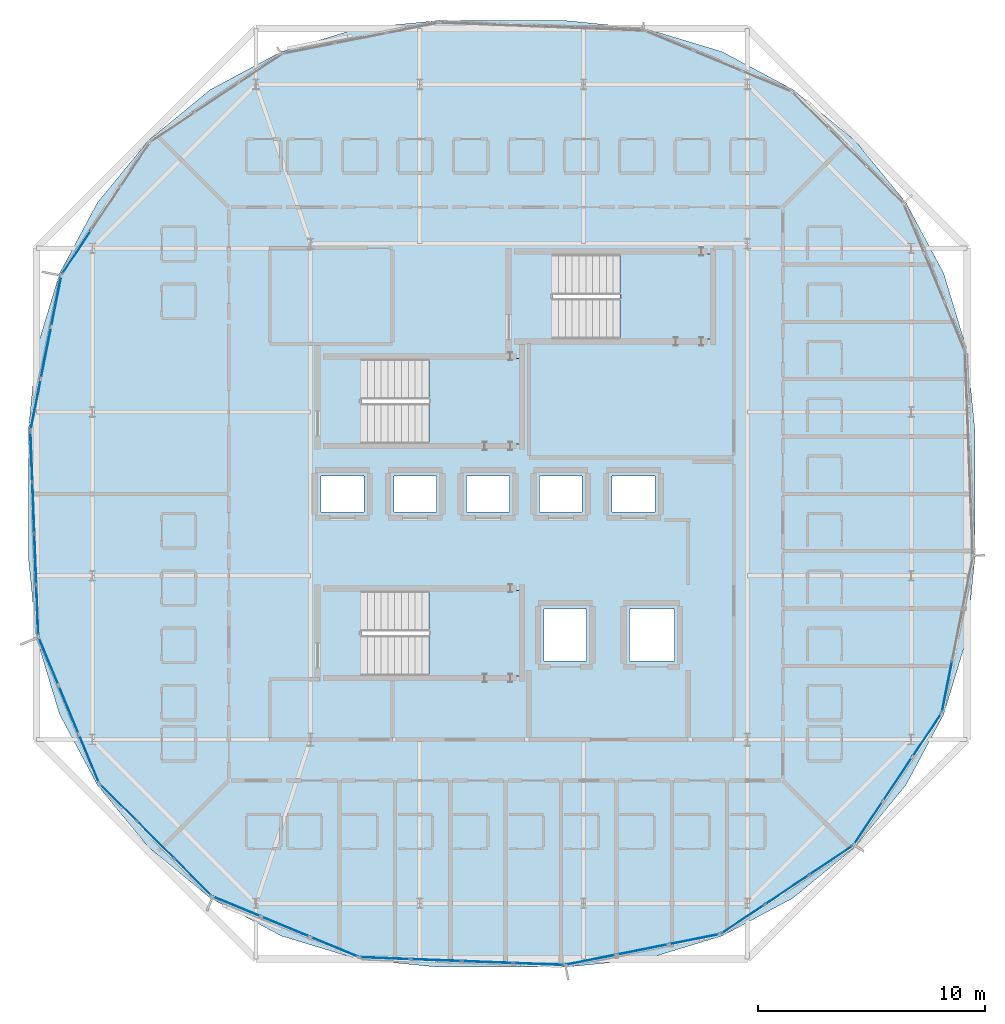
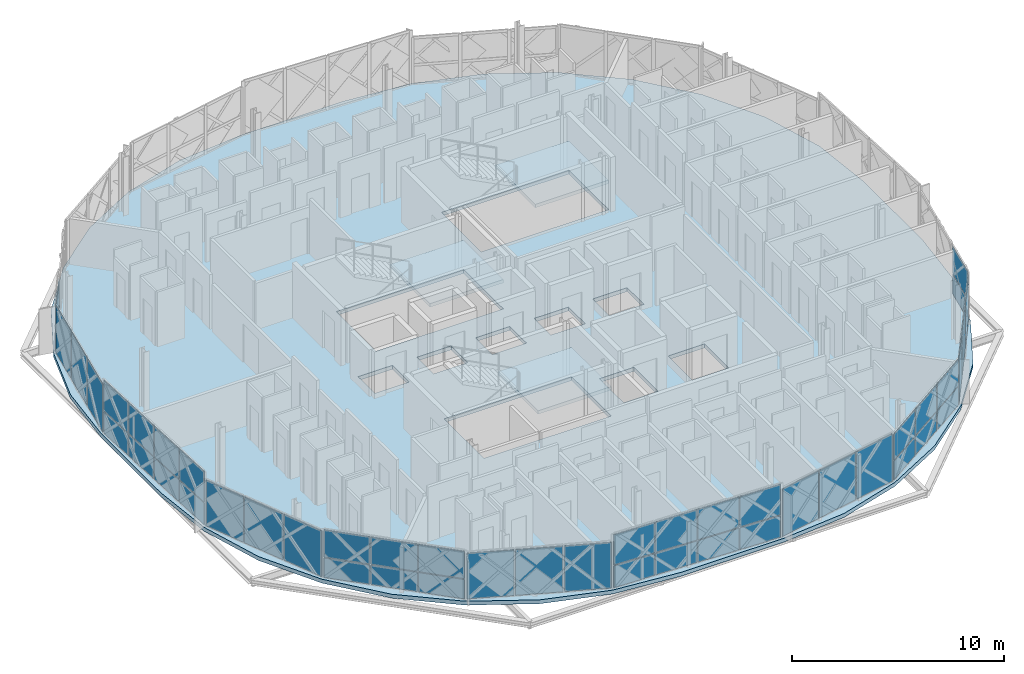
# One storey, part 11 of 24: 47 plates, 4 slabs, 14 elements without a shape of their own.
"""IFC4 building model written with IfcOpenShell, lengths in metres."""

from ifc_helpers import new_model, si_unit, direction, frame, origin, origin_2d, place, context, subcontext, project, spatial, polyline, rectangle, outline, extrude, material, layer, layer_set, type_object, element, aggregate, save


model = new_model("IFC4")

# Units and contexts
model_context = context("Model", 3, precision=1e-05, world=origin(), true_north=direction((0.0, 1.0)))
body_context = subcontext(model_context, "Body", "Model", "MODEL_VIEW")
ifc_project = project(units=[si_unit("LENGTHUNIT", "METRE"), si_unit("AREAUNIT", "SQUARE_METRE"), si_unit("VOLUMEUNIT", "CUBIC_METRE"), si_unit("PLANEANGLEUNIT", "RADIAN"), si_unit("MASSUNIT", "GRAM", prefix="KILO")], contexts=[model_context])

# Site, building, storey
site_placement = place(None, origin())
site = spatial("IfcSite", under=ifc_project, at=site_placement, CompositionType="ELEMENT")
building_placement = place(site_placement, origin())
building = spatial("IfcBuilding", under=site, at=building_placement, Name="Zevrakil Square Congress Hotel", CompositionType="ELEMENT")
storey_placement = place(building_placement, frame((0.0, 0.0, 31.699951171875)))
storey = spatial("IfcBuildingStorey", under=building, at=storey_placement, Name="L09", CompositionType="ELEMENT", Elevation=31.699951171875)

# Curtain wall, plate
ifc_material_1 = material(Name="Aluminium Anodised Bronze", Category="aluminium")
ifc_layer_1 = layer(ifc_material_1, 0.179931640625)
ifc_layer_set_1 = layer_set([ifc_layer_1], Name="Aluminium Anodised Bronze")
curtain_wall_type_1 = type_object("IfcCurtainWallType", Name="CW-L09-720", PredefinedType="USERDEFINED", material=ifc_layer_set_1)
curtain_wall_1_placement = place(storey_placement, origin())
curtain_wall_1 = element("IfcCurtainWall", 1, at=curtain_wall_1_placement, inside=storey, type_object=curtain_wall_type_1, Name="L09 diamond curtain wall CW-L09-0253", ObjectType="GLAZED CURTAIN WALL", PredefinedType="USERDEFINED")
ifc_material_2 = material(Name="Low-E Solar Control Double Glazing", Category="glass")
ifc_layer_2 = layer(ifc_material_2, 0.028076171875)
ifc_layer_set_2 = layer_set([ifc_layer_2], Name="Low-E Solar Control Double Glazing")
plate_type_1 = type_object("IfcPlateType", Name="CWP-GLAZ-28", PredefinedType="CURTAIN_PANEL", material=ifc_layer_set_2)
plate_1_placement = place(storey_placement, frame((151.3955078125, 7.568359375, 0.06005859375), z_axis=(0.0, 0.0, 1.0), x_axis=(0.980786557708, 0.195083900459, 0.0)))
plate_1 = element("IfcPlate", 2, at=plate_1_placement, type_object=plate_type_1, Name="CW-106 panel 2.1", PredefinedType="CURTAIN_PANEL", context=body_context, shape_type="SweptSolid", body=[
    extrude(rectangle(XDim=2.275146484375, YDim=0.028076171875, at=origin_2d()), origin(), (0.0, 0.0, 1.0), 2.735107421875),
])

# Curtain wall, plates
curtain_wall_2_placement = place(storey_placement, origin())
curtain_wall_2 = element("IfcCurtainWall", 3, at=curtain_wall_2_placement, inside=storey, type_object=curtain_wall_type_1, Name="L09 diamond curtain wall CW-L09-0254", ObjectType="GLAZED CURTAIN WALL", PredefinedType="USERDEFINED")
plate_2_placement = place(storey_placement, frame((155.814453125, 8.90869140625, 0.06005859375), z_axis=(0.0, 0.0, 1.0), x_axis=(0.831465693332, 0.555576098128, 0.0)))
plate_2 = element("IfcPlate", 4, at=plate_2_placement, type_object=plate_type_1, Name="CW-106 panel 1.1", PredefinedType="CURTAIN_PANEL", context=body_context, shape_type="SweptSolid", body=[
    extrude(rectangle(XDim=2.2451171875, YDim=0.028076171875, at=origin_2d()), origin(), (0.0, 0.0, 1.0), 1.067138671875),
])
plate_3_placement = place(storey_placement, frame((157.74365234375, 10.19775390625, 0.06005859375), z_axis=(0.0, 0.0, 1.0), x_axis=(0.831465693332, 0.555576098128, 0.0)))
plate_3 = element("IfcPlate", 5, at=plate_3_placement, type_object=plate_type_1, Name="CW-106 panel 2.1", PredefinedType="CURTAIN_PANEL", context=body_context, shape_type="SweptSolid", body=[
    extrude(rectangle(XDim=2.275146484375, YDim=0.028076171875, at=origin_2d()), origin(), (0.0, 0.0, 1.0), 1.067138671875),
])
plate_4_placement = place(storey_placement, frame((159.6728515625, 11.48681640625, 1.187255859375), z_axis=(0.0, 0.0, 1.0), x_axis=(0.831465693332, 0.555576098128, 0.0)))
plate_4 = element("IfcPlate", 6, at=plate_4_placement, type_object=plate_type_1, Name="CW-106 panel 3.2", PredefinedType="CURTAIN_PANEL", context=body_context, shape_type="SweptSolid", body=[
    extrude(rectangle(XDim=2.2451171875, YDim=0.028076171875, at=origin_2d()), origin(), (0.0, 0.0, 1.0), 1.5078125),
])

# Curtain wall, plate
curtain_wall_3_placement = place(storey_placement, origin())
curtain_wall_3 = element("IfcCurtainWall", 7, at=curtain_wall_3_placement, inside=storey, type_object=curtain_wall_type_1, Name="L09 diamond curtain wall CW-L09-0255", ObjectType="GLAZED CURTAIN WALL", PredefinedType="USERDEFINED")
plate_5_placement = place(storey_placement, frame((162.602294921875, 15.056396484375, 0.06005859375), z_axis=(0.0, 0.0, 1.0), x_axis=(0.555576098128, 0.831465693332, 0.0)))
plate_5 = element("IfcPlate", 8, at=plate_5_placement, type_object=plate_type_1, Name="CW-106 panel 2.1", PredefinedType="CURTAIN_PANEL", context=body_context, shape_type="SweptSolid", body=[
    extrude(rectangle(XDim=2.275146484375, YDim=0.028076171875, at=origin_2d()), origin(), (0.0, 0.0, 1.0), 2.635009765625),
])

curtain_wall_4_placement = place(storey_placement, origin())
curtain_wall_4 = element("IfcCurtainWall", 9, at=curtain_wall_4_placement, inside=storey, type_object=curtain_wall_type_1, Name="L09 diamond curtain wall CW-L09-0256", ObjectType="GLAZED CURTAIN WALL", PredefinedType="USERDEFINED")
plate_6_placement = place(storey_placement, frame((164.779052734375, 19.12890625, 0.06005859375), z_axis=(0.0, 0.0, 1.0), x_axis=(0.195083900459, 0.980786557708, 0.0)))
plate_6 = element("IfcPlate", 10, at=plate_6_placement, type_object=plate_type_1, Name="CW-106 panel 1.1", PredefinedType="CURTAIN_PANEL", context=body_context, shape_type="SweptSolid", body=[
    extrude(rectangle(XDim=2.2451171875, YDim=0.028076171875, at=origin_2d()), origin(), (0.0, 0.0, 1.0), 1.109130859375),
])

curtain_wall_5_placement = place(storey_placement, origin())
curtain_wall_5 = element("IfcCurtainWall", 11, at=curtain_wall_5_placement, inside=storey, type_object=curtain_wall_type_1, Name="L09 diamond curtain wall CW-L09-0264", ObjectType="GLAZED CURTAIN WALL", PredefinedType="USERDEFINED")
plate_7_placement = place(storey_placement, frame((126.5087890625, 38.21435546875, 1.187255859375), z_axis=(0.0, 0.0, 1.0), x_axis=(-0.555576098128, -0.831465693332, 0.0)))
plate_7 = element("IfcPlate", 12, at=plate_7_placement, type_object=plate_type_1, Name="CW-106 panel 3.2", PredefinedType="CURTAIN_PANEL", context=body_context, shape_type="SweptSolid", body=[
    extrude(rectangle(XDim=2.2451171875, YDim=0.028076171875, at=origin_2d()), origin(), (0.0, 0.0, 1.0), 1.5078125),
])

curtain_wall_6_placement = place(storey_placement, origin())
curtain_wall_6 = element("IfcCurtainWall", 13, at=curtain_wall_6_placement, inside=storey, type_object=curtain_wall_type_1, Name="L09 diamond curtain wall CW-L09-0265", ObjectType="GLAZED CURTAIN WALL", PredefinedType="USERDEFINED")
plate_8_placement = place(storey_placement, frame((125.16845703125, 33.795654296875, 0.06005859375), z_axis=(0.0, 0.0, 1.0), x_axis=(-0.195083900459, -0.980786557708, 0.0)))
plate_8 = element("IfcPlate", 14, at=plate_8_placement, type_object=plate_type_1, Name="CW-106 panel 2.1", PredefinedType="CURTAIN_PANEL", context=body_context, shape_type="SweptSolid", body=[
    extrude(rectangle(XDim=2.275146484375, YDim=0.028076171875, at=origin_2d()), origin(), (0.0, 0.0, 1.0), 2.735107421875),
])

# Curtain wall, plates
ifc_material_3 = material(Name="Aluminium Anodised Bronze", Category="aluminium")
ifc_layer_3 = layer(ifc_material_3, 0.179931640625)
ifc_layer_set_3 = layer_set([ifc_layer_3], Name="Aluminium Anodised Bronze")
curtain_wall_type_2 = type_object("IfcCurtainWallType", Name="CW-L09-900", PredefinedType="USERDEFINED", material=ifc_layer_set_3)
curtain_wall_7_placement = place(storey_placement, origin())
curtain_wall_7 = element("IfcCurtainWall", 15, at=curtain_wall_7_placement, inside=storey, type_object=curtain_wall_type_2, Name="L09 diamond curtain wall CW-L09-0266", ObjectType="GLAZED CURTAIN WALL", PredefinedType="USERDEFINED")
plate_9_placement = place(storey_placement, frame((124.52880859375, 29.217041015625, 0.06005859375), z_axis=(0.0, 0.0, 1.0), x_axis=(0.03820854684, -0.999269786869, 0.0)))
plate_9 = element("IfcPlate", 16, at=plate_9_placement, type_object=plate_type_1, Name="CW-108 panel 1.1", PredefinedType="CURTAIN_PANEL", context=body_context, shape_type="SweptSolid", body=[
    extrude(rectangle(XDim=2.167236328125, YDim=0.028076171875, at=origin_2d()), origin(), (0.0, 0.0, 1.0), 1.241455078125),
])
plate_10_placement = place(storey_placement, frame((124.6142578125, 26.9765625, 1.361572265625), z_axis=(0.0, 0.0, 1.0), x_axis=(0.03820854684, -0.999269786869, 0.0)))
plate_10 = element("IfcPlate", 17, at=plate_10_placement, type_object=plate_type_1, Name="CW-108 panel 2.2", PredefinedType="CURTAIN_PANEL", context=body_context, shape_type="SweptSolid", body=[
    extrude(rectangle(XDim=2.197265625, YDim=0.028076171875, at=origin_2d()), origin(), (0.0, 0.0, 1.0), 1.74853515625),
])
plate_11_placement = place(storey_placement, frame((124.70068359375, 24.720703125, 1.361572265625), z_axis=(0.0, 0.0, 1.0), x_axis=(0.03820854684, -0.999269786869, 0.0)))
plate_11 = element("IfcPlate", 18, at=plate_11_placement, type_object=plate_type_1, Name="CW-108 panel 3.2", PredefinedType="CURTAIN_PANEL", context=body_context, shape_type="SweptSolid", body=[
    extrude(rectangle(XDim=2.197265625, YDim=0.028076171875, at=origin_2d()), origin(), (0.0, 0.0, 1.0), 1.74853515625),
])

# Curtain wall, plate
curtain_wall_8_placement = place(storey_placement, origin())
curtain_wall_8 = element("IfcCurtainWall", 19, at=curtain_wall_8_placement, inside=storey, type_object=curtain_wall_type_1, Name="L09 diamond curtain wall CW-L09-0267", ObjectType="GLAZED CURTAIN WALL", PredefinedType="USERDEFINED")
plate_12_placement = place(storey_placement, frame((127.058349609375, 15.957275390625, 0.06005859375), z_axis=(0.0, 0.0, 1.0), x_axis=(0.382683763454, -0.92387939537, 0.0)))
plate_12 = element("IfcPlate", 20, at=plate_12_placement, type_object=plate_type_1, Name="CW-106 panel 3.1", PredefinedType="CURTAIN_PANEL", context=body_context, shape_type="SweptSolid", body=[
    extrude(rectangle(XDim=2.245361328125, YDim=0.028076171875, at=origin_2d()), origin(), (0.0, 0.0, 1.0), 2.635009765625),
])

# Curtain wall, plates
curtain_wall_9_placement = place(storey_placement, origin())
curtain_wall_9 = element("IfcCurtainWall", 21, at=curtain_wall_9_placement, inside=storey, type_object=curtain_wall_type_1, Name="L09 diamond curtain wall CW-L09-0268", ObjectType="GLAZED CURTAIN WALL", PredefinedType="USERDEFINED")
plate_13_placement = place(storey_placement, frame((128.34716796875, 14.028564453125, 1.229248046875), z_axis=(0.0, 0.0, 1.0), x_axis=(0.707106781187, -0.707106781187, 0.0)))
plate_13 = element("IfcPlate", 22, at=plate_13_placement, type_object=plate_type_1, Name="CW-106 panel 1.2", PredefinedType="CURTAIN_PANEL", context=body_context, shape_type="SweptSolid", body=[
    extrude(rectangle(XDim=2.2451171875, YDim=0.028076171875, at=origin_2d()), origin(), (0.0, 0.0, 1.0), 1.56591796875),
])
plate_14_placement = place(storey_placement, frame((129.98779296875, 12.387939453125, 1.229248046875), z_axis=(0.0, 0.0, 1.0), x_axis=(0.707106781187, -0.707106781187, 0.0)))
plate_14 = element("IfcPlate", 23, at=plate_14_placement, type_object=plate_type_1, Name="CW-106 panel 2.2", PredefinedType="CURTAIN_PANEL", context=body_context, shape_type="SweptSolid", body=[
    extrude(rectangle(XDim=2.275146484375, YDim=0.028076171875, at=origin_2d()), origin(), (0.0, 0.0, 1.0), 1.56591796875),
])

curtain_wall_10_placement = place(storey_placement, origin())
curtain_wall_10 = element("IfcCurtainWall", 24, at=curtain_wall_10_placement, inside=storey, type_object=curtain_wall_type_1, Name="L09 diamond curtain wall CW-L09-0269", ObjectType="GLAZED CURTAIN WALL", PredefinedType="USERDEFINED")
plate_15_placement = place(storey_placement, frame((133.557373046875, 9.45849609375, 0.06005859375), z_axis=(0.0, 0.0, 1.0), x_axis=(0.92387939537, -0.382683763454, 0.0)))
plate_15 = element("IfcPlate", 25, at=plate_15_placement, type_object=plate_type_1, Name="CW-106 panel 1.1", PredefinedType="CURTAIN_PANEL", context=body_context, shape_type="SweptSolid", body=[
    extrude(rectangle(XDim=2.245361328125, YDim=0.028076171875, at=origin_2d()), origin(), (0.0, 0.0, 1.0), 2.635009765625),
])
plate_16_placement = place(storey_placement, frame((137.844482421875, 7.6826171875, 0.06005859375), z_axis=(0.0, 0.0, 1.0), x_axis=(0.92387939537, -0.382683763454, 0.0)))
plate_16 = element("IfcPlate", 26, at=plate_16_placement, type_object=plate_type_1, Name="CW-106 panel 3.1", PredefinedType="CURTAIN_PANEL", context=body_context, shape_type="SweptSolid", body=[
    extrude(rectangle(XDim=2.245361328125, YDim=0.028076171875, at=origin_2d()), origin(), (0.0, 0.0, 1.0), 2.635009765625),
])

curtain_wall_11_placement = place(storey_placement, origin())
curtain_wall_11 = element("IfcCurtainWall", 27, at=curtain_wall_11_placement, inside=storey, type_object=curtain_wall_type_2, Name="L09 diamond curtain wall CW-L09-0270", ObjectType="GLAZED CURTAIN WALL", PredefinedType="USERDEFINED")
plate_17_placement = place(storey_placement, frame((140.080078125, 7.186279296875, 1.361572265625), z_axis=(0.0, 0.0, 1.0), x_axis=(0.999269786869, -0.03820854684, 0.0)))
plate_17 = element("IfcPlate", 28, at=plate_17_placement, type_object=plate_type_1, Name="CW-108 panel 1.2", PredefinedType="CURTAIN_PANEL", context=body_context, shape_type="SweptSolid", body=[
    extrude(rectangle(XDim=2.167236328125, YDim=0.028076171875, at=origin_2d()), origin(), (0.0, 0.0, 1.0), 1.74853515625),
])
plate_18_placement = place(storey_placement, frame((144.576416015625, 7.014404296875, 0.06005859375), z_axis=(0.0, 0.0, 1.0), x_axis=(0.999269786869, -0.03820854684, 0.0)))
plate_18 = element("IfcPlate", 29, at=plate_18_placement, type_object=plate_type_1, Name="CW-108 panel 3.1", PredefinedType="CURTAIN_PANEL", context=body_context, shape_type="SweptSolid", body=[
    extrude(rectangle(XDim=2.197265625, YDim=0.028076171875, at=origin_2d()), origin(), (0.0, 0.0, 1.0), 1.241455078125),
])
plate_19_placement = place(storey_placement, frame((146.817138671875, 6.9287109375, 0.06005859375), z_axis=(0.0, 0.0, 1.0), x_axis=(0.999269786869, -0.03820854684, 0.0)))
plate_19 = element("IfcPlate", 30, at=plate_19_placement, type_object=plate_type_1, Name="CW-108 panel 4.1", PredefinedType="CURTAIN_PANEL", context=body_context, shape_type="SweptSolid", body=[
    extrude(rectangle(XDim=2.167236328125, YDim=0.028076171875, at=origin_2d()), origin(), (0.0, 0.0, 1.0), 1.241455078125),
])

# Plate
ifc_material_4 = material(Name="Basalt Grey Ribbed GRC Panel", Category="masonry")
ifc_layer_4 = layer(ifc_material_4, 0.0439453125)
ifc_layer_set_4 = layer_set([ifc_layer_4], Name="Basalt Grey Ribbed GRC Panel")
plate_type_2 = type_object("IfcPlateType", Name="CWP-GRCG-44", PredefinedType="CURTAIN_PANEL", material=ifc_layer_set_4)
plate_20_placement = place(storey_placement, frame((149.119873046875, 7.11572265625, 0.06005859375), z_axis=(0.0, 0.0, 1.0), x_axis=(0.980786557708, 0.195083900459, 0.0)))
plate_20 = element("IfcPlate", 31, at=plate_20_placement, type_object=plate_type_2, Name="CW-106 panel 1.1", PredefinedType="CURTAIN_PANEL", context=body_context, shape_type="SweptSolid", body=[
    extrude(rectangle(XDim=2.2451171875, YDim=0.028076171875, at=origin_2d()), origin(), (0.0, 0.0, 1.0), 2.735107421875),
])

plate_21_placement = place(storey_placement, frame((159.6728515625, 11.48681640625, 0.06005859375), z_axis=(0.0, 0.0, 1.0), x_axis=(0.831465693332, 0.555576098128, 0.0)))
plate_21 = element("IfcPlate", 32, at=plate_21_placement, type_object=plate_type_2, Name="CW-106 panel 3.1", PredefinedType="CURTAIN_PANEL", context=body_context, shape_type="SweptSolid", body=[
    extrude(rectangle(XDim=2.2451171875, YDim=0.028076171875, at=origin_2d()), origin(), (0.0, 0.0, 1.0), 1.067138671875),
])

plate_22_placement = place(storey_placement, frame((126.5087890625, 38.21435546875, 0.06005859375), z_axis=(0.0, 0.0, 1.0), x_axis=(-0.555576098128, -0.831465693332, 0.0)))
plate_22 = element("IfcPlate", 33, at=plate_22_placement, type_object=plate_type_2, Name="CW-106 panel 3.1", PredefinedType="CURTAIN_PANEL", context=body_context, shape_type="SweptSolid", body=[
    extrude(rectangle(XDim=2.2451171875, YDim=0.028076171875, at=origin_2d()), origin(), (0.0, 0.0, 1.0), 1.067138671875),
])

aggregate(curtain_wall_5, [plate_22, plate_7])

plate_23_placement = place(storey_placement, frame((124.6142578125, 26.9765625, 0.06005859375), z_axis=(0.0, 0.0, 1.0), x_axis=(0.03820854684, -0.999269786869, 0.0)))
plate_23 = element("IfcPlate", 34, at=plate_23_placement, type_object=plate_type_2, Name="CW-108 panel 2.1", PredefinedType="CURTAIN_PANEL", context=body_context, shape_type="SweptSolid", body=[
    extrude(rectangle(XDim=2.197265625, YDim=0.028076171875, at=origin_2d()), origin(), (0.0, 0.0, 1.0), 1.241455078125),
])

plate_24_placement = place(storey_placement, frame((124.786376953125, 22.47998046875, 1.361572265625), z_axis=(0.0, 0.0, 1.0), x_axis=(0.03820854684, -0.999269786869, 0.0)))
plate_24 = element("IfcPlate", 35, at=plate_24_placement, type_object=plate_type_2, Name="CW-108 panel 4.2", PredefinedType="CURTAIN_PANEL", context=body_context, shape_type="SweptSolid", body=[
    extrude(rectangle(XDim=2.167236328125, YDim=0.028076171875, at=origin_2d()), origin(), (0.0, 0.0, 1.0), 1.74853515625),
])

plate_25_placement = place(storey_placement, frame((126.17041015625, 18.100830078125, 0.06005859375), z_axis=(0.0, 0.0, 1.0), x_axis=(0.382683763454, -0.92387939537, 0.0)))
plate_25 = element("IfcPlate", 36, at=plate_25_placement, type_object=plate_type_2, Name="CW-106 panel 2.1", PredefinedType="CURTAIN_PANEL", context=body_context, shape_type="SweptSolid", body=[
    extrude(rectangle(XDim=2.275146484375, YDim=0.028076171875, at=origin_2d()), origin(), (0.0, 0.0, 1.0), 2.635009765625),
])

plate_26_placement = place(storey_placement, frame((128.34716796875, 14.028564453125, 0.06005859375), z_axis=(0.0, 0.0, 1.0), x_axis=(0.707106781187, -0.707106781187, 0.0)))
plate_26 = element("IfcPlate", 37, at=plate_26_placement, type_object=plate_type_2, Name="CW-106 panel 1.1", PredefinedType="CURTAIN_PANEL", context=body_context, shape_type="SweptSolid", body=[
    extrude(rectangle(XDim=2.2451171875, YDim=0.028076171875, at=origin_2d()), origin(), (0.0, 0.0, 1.0), 1.109130859375),
])

plate_27_placement = place(storey_placement, frame((131.62841796875, 10.747314453125, 1.229248046875), z_axis=(0.0, 0.0, 1.0), x_axis=(0.707106781187, -0.707106781187, 0.0)))
plate_27 = element("IfcPlate", 38, at=plate_27_placement, type_object=plate_type_2, Name="CW-106 panel 3.2", PredefinedType="CURTAIN_PANEL", context=body_context, shape_type="SweptSolid", body=[
    extrude(rectangle(XDim=2.2451171875, YDim=0.028076171875, at=origin_2d()), origin(), (0.0, 0.0, 1.0), 1.56591796875),
])

plate_28_placement = place(storey_placement, frame((142.32080078125, 7.1005859375, 1.361572265625), z_axis=(0.0, 0.0, 1.0), x_axis=(0.999269786869, -0.03820854684, 0.0)))
plate_28 = element("IfcPlate", 39, at=plate_28_placement, type_object=plate_type_2, Name="CW-108 panel 2.2", PredefinedType="CURTAIN_PANEL", context=body_context, shape_type="SweptSolid", body=[
    extrude(rectangle(XDim=2.197265625, YDim=0.028076171875, at=origin_2d()), origin(), (0.0, 0.0, 1.0), 1.74853515625),
])

ifc_material_5 = material(Name="White Ribbed Highland GRC Panel", Category="concrete")
ifc_layer_5 = layer(ifc_material_5, 0.0400390625)
ifc_layer_set_5 = layer_set([ifc_layer_5], Name="White Ribbed Highland GRC Panel")
plate_type_3 = type_object("IfcPlateType", Name="CWP-GRCW-40", PredefinedType="CURTAIN_PANEL", material=ifc_layer_set_5)
plate_29_placement = place(storey_placement, frame((153.671142578125, 8.02099609375, 0.06005859375), z_axis=(0.0, 0.0, 1.0), x_axis=(0.980786557708, 0.195083900459, 0.0)))
plate_29 = element("IfcPlate", 40, at=plate_29_placement, type_object=plate_type_3, Name="CW-106 panel 3.1", PredefinedType="CURTAIN_PANEL", context=body_context, shape_type="SweptSolid", body=[
    extrude(rectangle(XDim=2.2451171875, YDim=0.028076171875, at=origin_2d()), origin(), (0.0, 0.0, 1.0), 2.735107421875),
])

aggregate(curtain_wall_1, [plate_20, plate_1, plate_29])

plate_30_placement = place(storey_placement, frame((155.814453125, 8.90869140625, 1.187255859375), z_axis=(0.0, 0.0, 1.0), x_axis=(0.831465693332, 0.555576098128, 0.0)))
plate_30 = element("IfcPlate", 41, at=plate_30_placement, type_object=plate_type_3, Name="CW-106 panel 1.2", PredefinedType="CURTAIN_PANEL", context=body_context, shape_type="SweptSolid", body=[
    extrude(rectangle(XDim=2.2451171875, YDim=0.028076171875, at=origin_2d()), origin(), (0.0, 0.0, 1.0), 1.5078125),
])

plate_31_placement = place(storey_placement, frame((157.74365234375, 10.19775390625, 1.187255859375), z_axis=(0.0, 0.0, 1.0), x_axis=(0.831465693332, 0.555576098128, 0.0)))
plate_31 = element("IfcPlate", 42, at=plate_31_placement, type_object=plate_type_3, Name="CW-106 panel 2.2", PredefinedType="CURTAIN_PANEL", context=body_context, shape_type="SweptSolid", body=[
    extrude(rectangle(XDim=2.275146484375, YDim=0.028076171875, at=origin_2d()), origin(), (0.0, 0.0, 1.0), 1.5078125),
])

aggregate(curtain_wall_2, [plate_2, plate_30, plate_3, plate_31, plate_21, plate_4])

plate_32_placement = place(storey_placement, frame((161.313232421875, 13.127197265625, 0.06005859375), z_axis=(0.0, 0.0, 1.0), x_axis=(0.555576098128, 0.831465693332, 0.0)))
plate_32 = element("IfcPlate", 43, at=plate_32_placement, type_object=plate_type_3, Name="CW-106 panel 1.1", PredefinedType="CURTAIN_PANEL", context=body_context, shape_type="SweptSolid", body=[
    extrude(rectangle(XDim=2.2451171875, YDim=0.028076171875, at=origin_2d()), origin(), (0.0, 0.0, 1.0), 2.635009765625),
])

plate_33_placement = place(storey_placement, frame((163.891357421875, 16.985595703125, 0.06005859375), z_axis=(0.0, 0.0, 1.0), x_axis=(0.555576098128, 0.831465693332, 0.0)))
plate_33 = element("IfcPlate", 44, at=plate_33_placement, type_object=plate_type_3, Name="CW-106 panel 3.1", PredefinedType="CURTAIN_PANEL", context=body_context, shape_type="SweptSolid", body=[
    extrude(rectangle(XDim=2.2451171875, YDim=0.028076171875, at=origin_2d()), origin(), (0.0, 0.0, 1.0), 2.635009765625),
])

aggregate(curtain_wall_3, [plate_32, plate_5, plate_33])

plate_34_placement = place(storey_placement, frame((164.779052734375, 19.12890625, 1.229248046875), z_axis=(0.0, 0.0, 1.0), x_axis=(0.195083900459, 0.980786557708, 0.0)))
plate_34 = element("IfcPlate", 45, at=plate_34_placement, type_object=plate_type_3, Name="CW-106 panel 1.2", PredefinedType="CURTAIN_PANEL", context=body_context, shape_type="SweptSolid", body=[
    extrude(rectangle(XDim=2.2451171875, YDim=0.028076171875, at=origin_2d()), origin(), (0.0, 0.0, 1.0), 1.56591796875),
])

aggregate(curtain_wall_4, [plate_6, plate_34])

plate_35_placement = place(storey_placement, frame((125.62109375, 36.0712890625, 0.06005859375), z_axis=(0.0, 0.0, 1.0), x_axis=(-0.195083900459, -0.980786557708, 0.0)))
plate_35 = element("IfcPlate", 46, at=plate_35_placement, type_object=plate_type_3, Name="CW-106 panel 1.1", PredefinedType="CURTAIN_PANEL", context=body_context, shape_type="SweptSolid", body=[
    extrude(rectangle(XDim=2.2451171875, YDim=0.028076171875, at=origin_2d()), origin(), (0.0, 0.0, 1.0), 2.735107421875),
])

plate_36_placement = place(storey_placement, frame((124.7158203125, 31.519775390625, 0.06005859375), z_axis=(0.0, 0.0, 1.0), x_axis=(-0.195083900459, -0.980786557708, 0.0)))
plate_36 = element("IfcPlate", 47, at=plate_36_placement, type_object=plate_type_3, Name="CW-106 panel 3.1", PredefinedType="CURTAIN_PANEL", context=body_context, shape_type="SweptSolid", body=[
    extrude(rectangle(XDim=2.2451171875, YDim=0.028076171875, at=origin_2d()), origin(), (0.0, 0.0, 1.0), 2.735107421875),
])

aggregate(curtain_wall_6, [plate_35, plate_8, plate_36])

plate_37_placement = place(storey_placement, frame((124.52880859375, 29.217041015625, 1.361572265625), z_axis=(0.0, 0.0, 1.0), x_axis=(0.03820854684, -0.999269786869, 0.0)))
plate_37 = element("IfcPlate", 48, at=plate_37_placement, type_object=plate_type_3, Name="CW-108 panel 1.2", PredefinedType="CURTAIN_PANEL", context=body_context, shape_type="SweptSolid", body=[
    extrude(rectangle(XDim=2.167236328125, YDim=0.028076171875, at=origin_2d()), origin(), (0.0, 0.0, 1.0), 1.74853515625),
])

plate_38_placement = place(storey_placement, frame((124.70068359375, 24.720703125, 0.06005859375), z_axis=(0.0, 0.0, 1.0), x_axis=(0.03820854684, -0.999269786869, 0.0)))
plate_38 = element("IfcPlate", 49, at=plate_38_placement, type_object=plate_type_3, Name="CW-108 panel 3.1", PredefinedType="CURTAIN_PANEL", context=body_context, shape_type="SweptSolid", body=[
    extrude(rectangle(XDim=2.197265625, YDim=0.028076171875, at=origin_2d()), origin(), (0.0, 0.0, 1.0), 1.241455078125),
])

plate_39_placement = place(storey_placement, frame((124.786376953125, 22.47998046875, 0.06005859375), z_axis=(0.0, 0.0, 1.0), x_axis=(0.03820854684, -0.999269786869, 0.0)))
plate_39 = element("IfcPlate", 50, at=plate_39_placement, type_object=plate_type_3, Name="CW-108 panel 4.1", PredefinedType="CURTAIN_PANEL", context=body_context, shape_type="SweptSolid", body=[
    extrude(rectangle(XDim=2.167236328125, YDim=0.028076171875, at=origin_2d()), origin(), (0.0, 0.0, 1.0), 1.241455078125),
])

aggregate(curtain_wall_7, [plate_9, plate_37, plate_23, plate_10, plate_38, plate_11, plate_39, plate_24])

plate_40_placement = place(storey_placement, frame((125.282470703125, 20.24462890625, 0.06005859375), z_axis=(0.0, 0.0, 1.0), x_axis=(0.382683763454, -0.92387939537, 0.0)))
plate_40 = element("IfcPlate", 51, at=plate_40_placement, type_object=plate_type_3, Name="CW-106 panel 1.1", PredefinedType="CURTAIN_PANEL", context=body_context, shape_type="SweptSolid", body=[
    extrude(rectangle(XDim=2.245361328125, YDim=0.028076171875, at=origin_2d()), origin(), (0.0, 0.0, 1.0), 2.635009765625),
])

aggregate(curtain_wall_8, [plate_40, plate_25, plate_12])

plate_41_placement = place(storey_placement, frame((129.98779296875, 12.387939453125, 0.06005859375), z_axis=(0.0, 0.0, 1.0), x_axis=(0.707106781187, -0.707106781187, 0.0)))
plate_41 = element("IfcPlate", 52, at=plate_41_placement, type_object=plate_type_3, Name="CW-106 panel 2.1", PredefinedType="CURTAIN_PANEL", context=body_context, shape_type="SweptSolid", body=[
    extrude(rectangle(XDim=2.275146484375, YDim=0.028076171875, at=origin_2d()), origin(), (0.0, 0.0, 1.0), 1.109130859375),
])

plate_42_placement = place(storey_placement, frame((131.62841796875, 10.747314453125, 0.06005859375), z_axis=(0.0, 0.0, 1.0), x_axis=(0.707106781187, -0.707106781187, 0.0)))
plate_42 = element("IfcPlate", 53, at=plate_42_placement, type_object=plate_type_3, Name="CW-106 panel 3.1", PredefinedType="CURTAIN_PANEL", context=body_context, shape_type="SweptSolid", body=[
    extrude(rectangle(XDim=2.2451171875, YDim=0.028076171875, at=origin_2d()), origin(), (0.0, 0.0, 1.0), 1.109130859375),
])

aggregate(curtain_wall_9, [plate_26, plate_13, plate_41, plate_14, plate_42, plate_27])

plate_43_placement = place(storey_placement, frame((135.700927734375, 8.570556640625, 0.06005859375), z_axis=(0.0, 0.0, 1.0), x_axis=(0.92387939537, -0.382683763454, 0.0)))
plate_43 = element("IfcPlate", 54, at=plate_43_placement, type_object=plate_type_3, Name="CW-106 panel 2.1", PredefinedType="CURTAIN_PANEL", context=body_context, shape_type="SweptSolid", body=[
    extrude(rectangle(XDim=2.275146484375, YDim=0.028076171875, at=origin_2d()), origin(), (0.0, 0.0, 1.0), 2.635009765625),
])

aggregate(curtain_wall_10, [plate_15, plate_43, plate_16])

plate_44_placement = place(storey_placement, frame((140.080078125, 7.186279296875, 0.06005859375), z_axis=(0.0, 0.0, 1.0), x_axis=(0.999269786869, -0.03820854684, 0.0)))
plate_44 = element("IfcPlate", 55, at=plate_44_placement, type_object=plate_type_3, Name="CW-108 panel 1.1", PredefinedType="CURTAIN_PANEL", context=body_context, shape_type="SweptSolid", body=[
    extrude(rectangle(XDim=2.167236328125, YDim=0.028076171875, at=origin_2d()), origin(), (0.0, 0.0, 1.0), 1.241455078125),
])

plate_45_placement = place(storey_placement, frame((142.32080078125, 7.1005859375, 0.06005859375), z_axis=(0.0, 0.0, 1.0), x_axis=(0.999269786869, -0.03820854684, 0.0)))
plate_45 = element("IfcPlate", 56, at=plate_45_placement, type_object=plate_type_3, Name="CW-108 panel 2.1", PredefinedType="CURTAIN_PANEL", context=body_context, shape_type="SweptSolid", body=[
    extrude(rectangle(XDim=2.197265625, YDim=0.028076171875, at=origin_2d()), origin(), (0.0, 0.0, 1.0), 1.241455078125),
])

plate_46_placement = place(storey_placement, frame((144.576416015625, 7.014404296875, 1.361572265625), z_axis=(0.0, 0.0, 1.0), x_axis=(0.999269786869, -0.03820854684, 0.0)))
plate_46 = element("IfcPlate", 57, at=plate_46_placement, type_object=plate_type_3, Name="CW-108 panel 3.2", PredefinedType="CURTAIN_PANEL", context=body_context, shape_type="SweptSolid", body=[
    extrude(rectangle(XDim=2.197265625, YDim=0.028076171875, at=origin_2d()), origin(), (0.0, 0.0, 1.0), 1.74853515625),
])

plate_47_placement = place(storey_placement, frame((146.817138671875, 6.9287109375, 1.361572265625), z_axis=(0.0, 0.0, 1.0), x_axis=(0.999269786869, -0.03820854684, 0.0)))
plate_47 = element("IfcPlate", 58, at=plate_47_placement, type_object=plate_type_3, Name="CW-108 panel 4.2", PredefinedType="CURTAIN_PANEL", context=body_context, shape_type="SweptSolid", body=[
    extrude(rectangle(XDim=2.167236328125, YDim=0.028076171875, at=origin_2d()), origin(), (0.0, 0.0, 1.0), 1.74853515625),
])

aggregate(curtain_wall_11, [plate_44, plate_17, plate_45, plate_28, plate_18, plate_46, plate_19, plate_47])

# Slab
ifc_material_6 = material(Name="Concrete C35/45", Category="concrete")
ifc_layer_6 = layer(ifc_material_6, 0.22509765625)
ifc_layer_set_6 = layer_set([ifc_layer_6], Name="Concrete C35/45")
slab_type_1 = type_object("IfcSlabType", Name="SLB-DRUM-225", PredefinedType="FLOOR", material=ifc_layer_set_6)
slab_1_placement = place(storey_placement, frame((0.0, 0.0, -0.224853515625)))
element("IfcSlab", 59, at=slab_1_placement, inside=storey, type_object=slab_type_1, Name="L09 swelling hotel drum floor slab", PredefinedType="FLOOR", context=body_context, shape_type="SweptSolid", body=[
    extrude(outline(polyline([(148.0048828125, 6.794921875), (151.5166015625, 7.140869140625), (154.893310546875, 8.165283203125), (158.00537109375, 9.82861328125), (160.73291015625, 12.067138671875), (162.971435546875, 14.794677734375), (164.634765625, 17.90673828125), (165.6591796875, 21.283447265625), (166.0048828125, 24.794921875), (166.0048828125, 30.405029296875), (165.6591796875, 33.91650390625), (164.634765625, 37.293212890625), (162.971435546875, 40.4052734375), (160.73291015625, 43.1328125), (158.00537109375, 45.37158203125), (154.893310546875, 47.034912109375), (151.5166015625, 48.05908203125), (148.0048828125, 48.405029296875), (142.39501953125, 48.405029296875), (138.88330078125, 48.05908203125), (135.506591796875, 47.034912109375), (132.394775390625, 45.37158203125), (129.6669921875, 43.1328125), (127.428466796875, 40.4052734375), (125.76513671875, 37.293212890625), (124.740966796875, 33.91650390625), (124.39501953125, 30.405029296875), (124.39501953125, 24.794921875), (124.740966796875, 21.283447265625), (125.76513671875, 17.90673828125), (127.428466796875, 14.794677734375), (129.6669921875, 12.067138671875), (132.394775390625, 9.82861328125), (135.506591796875, 8.165283203125), (138.88330078125, 7.140869140625), (142.39501953125, 6.794921875), (148.0048828125, 6.794921875)]), holes=[polyline([(139.044921875, 19.60009765625), (146.0, 19.60009765625), (146.0, 23.35009765625), (139.044921875, 23.35009765625), (139.044921875, 19.60009765625)]), polyline([(139.044921875, 29.800048828125), (146.0, 29.800048828125), (146.0, 33.550048828125), (139.044921875, 33.550048828125), (139.044921875, 29.800048828125)]), polyline([(147.445068359375, 34.39990234375), (154.39990234375, 34.39990234375), (154.39990234375, 38.14990234375), (147.445068359375, 38.14990234375), (147.445068359375, 34.39990234375)]), polyline([(137.260009765625, 26.81005859375), (139.139892578125, 26.81005859375), (139.139892578125, 28.389892578125), (137.260009765625, 28.389892578125), (137.260009765625, 26.81005859375)]), polyline([(140.4599609375, 26.81005859375), (142.340087890625, 26.81005859375), (142.340087890625, 28.389892578125), (140.4599609375, 28.389892578125), (140.4599609375, 26.81005859375)]), polyline([(143.659912109375, 26.81005859375), (145.5400390625, 26.81005859375), (145.5400390625, 28.389892578125), (143.659912109375, 28.389892578125), (143.659912109375, 26.81005859375)]), polyline([(146.860107421875, 26.81005859375), (148.739990234375, 26.81005859375), (148.739990234375, 28.389892578125), (146.860107421875, 28.389892578125), (146.860107421875, 26.81005859375)]), polyline([(150.06005859375, 26.81005859375), (151.93994140625, 26.81005859375), (151.93994140625, 28.389892578125), (150.06005859375, 28.389892578125), (150.06005859375, 26.81005859375)]), polyline([(147.06005859375, 20.260009765625), (148.93994140625, 20.260009765625), (148.93994140625, 22.5400390625), (147.06005859375, 22.5400390625), (147.06005859375, 20.260009765625)]), polyline([(150.81005859375, 20.260009765625), (152.7900390625, 20.260009765625), (152.7900390625, 22.5400390625), (150.81005859375, 22.5400390625), (150.81005859375, 20.260009765625)])]), origin(), (0.0, 0.0, 1.0), 0.224853515625),
])

# Stair, slab
ifc_material_7 = material(Name="Concrete C35/45", Category="concrete")
stair_type = type_object("IfcStairType", Name="STR-DOGLEG-180", PredefinedType="HALF_TURN_STAIR", material=ifc_material_7)
stair_1_placement = place(storey_placement, origin())
stair_1 = element("IfcStair", 60, at=stair_1_placement, inside=storey, type_object=stair_type, Name="L09 Protected exit stair ST01", PredefinedType="HALF_TURN_STAIR")
ifc_material_8 = material(Name="Concrete C35/45", Category="concrete")
ifc_layer_7 = layer(ifc_material_8, 0.199951171875)
ifc_layer_set_7 = layer_set([ifc_layer_7], Name="Concrete C35/45")
slab_type_2 = type_object("IfcSlabType", Name="SLB-STAIR-LAND-200", PredefinedType="LANDING", material=ifc_layer_set_7)
slab_2_placement = place(storey_placement, frame((0.0, 0.0, 1.5)))
slab_2 = element("IfcSlab", 61, at=slab_2_placement, type_object=slab_type_2, Name="ST01 landing 1", PredefinedType="LANDING", context=body_context, shape_type="SweptSolid", body=[
    extrude(outline(polyline([(142.0, 19.60009765625), (146.0, 19.60009765625), (146.0, 23.35009765625), (142.0, 23.35009765625), (142.0, 19.60009765625)])), origin(), (0.0, 0.0, 1.0), 0.199951171875),
])
aggregate(stair_1, [slab_2])

stair_2_placement = place(storey_placement, origin())
stair_2 = element("IfcStair", 62, at=stair_2_placement, inside=storey, type_object=stair_type, Name="L09 Protected exit stair ST02", PredefinedType="HALF_TURN_STAIR")
slab_3_placement = place(storey_placement, frame((0.0, 0.0, 1.5)))
slab_3 = element("IfcSlab", 63, at=slab_3_placement, type_object=slab_type_2, Name="ST02 landing 1", PredefinedType="LANDING", context=body_context, shape_type="SweptSolid", body=[
    extrude(outline(polyline([(142.0, 29.800048828125), (146.0, 29.800048828125), (146.0, 33.550048828125), (142.0, 33.550048828125), (142.0, 29.800048828125)])), origin(), (0.0, 0.0, 1.0), 0.199951171875),
])
aggregate(stair_2, [slab_3])

stair_3_placement = place(storey_placement, origin())
stair_3 = element("IfcStair", 64, at=stair_3_placement, inside=storey, type_object=stair_type, Name="L09 Protected exit stair ST03", PredefinedType="HALF_TURN_STAIR")
slab_4_placement = place(storey_placement, frame((0.0, 0.0, 1.5)))
slab_4 = element("IfcSlab", 65, at=slab_4_placement, type_object=slab_type_2, Name="ST03 landing 1", PredefinedType="LANDING", context=body_context, shape_type="SweptSolid", body=[
    extrude(outline(polyline([(150.39990234375, 34.39990234375), (154.39990234375, 34.39990234375), (154.39990234375, 38.14990234375), (150.39990234375, 38.14990234375), (150.39990234375, 34.39990234375)])), origin(), (0.0, 0.0, 1.0), 0.199951171875),
])
aggregate(stair_3, [slab_4])

save(model, "model.ifc")
